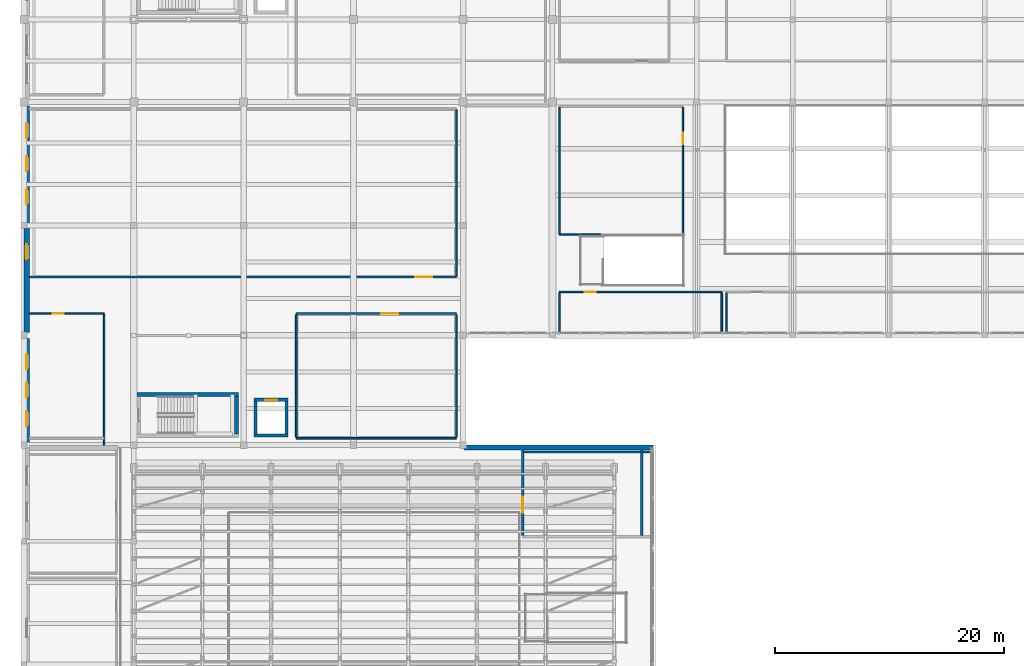
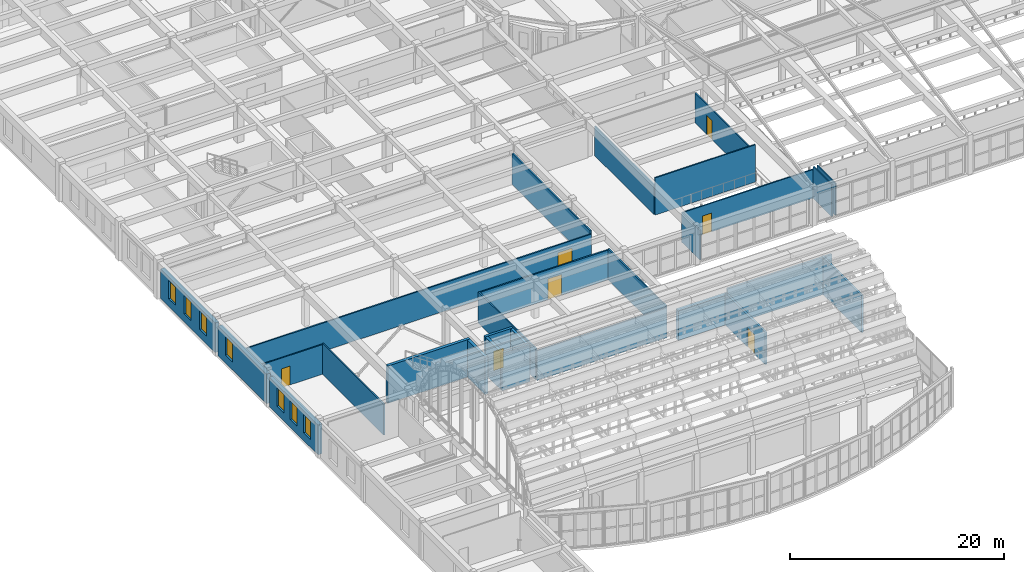
# One storey, part 65 of 91: 28 walls, 7 doors, 7 windows, 14 openings.
"""IFC4 building model written with IfcOpenShell, lengths in metres."""

from ifc_helpers import new_model, si_unit, direction, frame, frame_2d, origin, place, context, subcontext, project, spatial, rectangle, extrude, material, layer, layer_set, type_object, element, fill, save


model = new_model("IFC4")

# Units and contexts
model_context = context("Model", 3, precision=1e-05, world=origin(), true_north=direction((0.0, 1.0)))
body_context = subcontext(model_context, "Body", "Model", "MODEL_VIEW")
ifc_project = project(units=[si_unit("LENGTHUNIT", "METRE"), si_unit("AREAUNIT", "SQUARE_METRE"), si_unit("VOLUMEUNIT", "CUBIC_METRE"), si_unit("PLANEANGLEUNIT", "RADIAN"), si_unit("MASSUNIT", "GRAM", prefix="KILO")], contexts=[model_context])

# Site, building, storey
site_placement = place(None, origin())
site = spatial("IfcSite", under=ifc_project, at=site_placement, CompositionType="ELEMENT")
building_placement = place(site_placement, origin())
building = spatial("IfcBuilding", under=site, at=building_placement, Name="Tarnavel Promenade Courthouse", CompositionType="ELEMENT")
storey_placement = place(building_placement, frame((0.0, 0.0, 9.89990234375)))
storey = spatial("IfcBuildingStorey", under=building, at=storey_placement, Name="L03", CompositionType="ELEMENT", Elevation=9.89990234375)

# Wall, opening, door
ifc_material_1 = material(Name="Acoustic Insulated Gypsum Stud Partition", Category="gypsum")
ifc_layer_1 = layer(ifc_material_1, 0.14990234375)
ifc_layer_set_1 = layer_set([ifc_layer_1], Name="Acoustic Insulated Gypsum Stud Partition")
wall_type_1 = type_object("IfcWallType", Name="Acoustic Insulated Gypsum Stud Partition WL-LIB-150 (150 mm)", PredefinedType="PARTITIONING", material=ifc_layer_set_1)
wall_1_placement = place(storey_placement, frame((37.800048828125, 51.89990234375, 0.0), z_axis=(0.0, 0.0, 1.0), x_axis=(-1.0, 0.0, 0.0)))
wall_1 = element("IfcWall", 1, at=wall_1_placement, inside=storey, type_object=wall_type_1, Name="L03 Law Library Book Stacks Case Reports Partition 0453", PredefinedType="PARTITIONING", context=body_context, shape_type="SweptSolid", body=[
    extrude(rectangle(XDim=37.345947265625, YDim=0.14990234375, at=frame_2d((18.6728515625, 0.0))), origin(), (0.0, 0.0, 1.0), 3.22998046875),
])
opening_1_placement = place(wall_1_placement, frame((2.107421875, 0.0, 0.0)))
opening_1 = element("IfcOpeningElement", 2, at=opening_1_placement, cuts=wall_1, Name="Opening ID-05", PredefinedType="OPENING", context=body_context, shape_type="SweptSolid", body=[
    extrude(rectangle(XDim=1.5, YDim=2.35009765625, at=frame_2d((0.75, 1.175048828125))), frame((0.0, 0.0849609375, 0.0), z_axis=(0.0, -1.0, 0.0), x_axis=(1.0, 0.0, 0.0)), (0.0, 0.0, 1.0), 0.169921875),
])
ifc_material_2 = material(Name="Glazed Oak Law Library Double Door")
door_type_1 = type_object("IfcDoorType", Name="Glazed Oak Law Library Double Door (DR-LIB-1500x2350)", OperationType="NOTDEFINED", PredefinedType="DOOR", material=ifc_material_2)
door_1_placement = place(opening_1_placement, origin())
door_1 = element("IfcDoor", 3, at=door_1_placement, inside=storey, type_object=door_type_1, Name="L03 Law Library Book Stacks Case Reports Door 0129", OperationType="DOUBLE_DOOR_SINGLE_SWING", OverallHeight=2.35009765625, OverallWidth=1.5, PredefinedType="DOOR", context=body_context, shape_type="SweptSolid", body=[
    extrude(rectangle(XDim=1.5, YDim=2.35009765625, at=frame_2d((0.75, 1.175048828125))), frame((0.0, 0.02490234375, 0.0), z_axis=(0.0, -1.0, 0.0), x_axis=(1.0, 0.0, 0.0)), (0.0, 0.0, 1.0), 0.050048828125),
])
fill(opening_1, door_1)

# Wall
wall_2_placement = place(storey_placement, frame((37.800048828125, 66.514892578125, 0.0), z_axis=(0.0, 0.0, 1.0), x_axis=(0.0, -1.0, 0.0)))
element("IfcWall", 4, at=wall_2_placement, inside=storey, type_object=wall_type_1, Name="L03 Law Library Book Stacks Case Reports Partition 0454", PredefinedType="PARTITIONING", context=body_context, shape_type="SweptSolid", body=[
    extrude(rectangle(XDim=14.52978515625, YDim=0.14990234375, at=frame_2d((7.264892578125, 0.0))), origin(), (0.0, 0.0, 1.0), 3.530029296875),
])

# Wall, opening, door
wall_3_placement = place(storey_placement, frame((23.800048828125, 48.699951171875, 0.0), z_axis=(0.0, 0.0, 1.0), x_axis=(1.0, 0.0, 0.0)))
wall_3 = element("IfcWall", 5, at=wall_3_placement, inside=storey, type_object=wall_type_1, Name="L03 Law Library Reading Room North Carrels Partition 0458", PredefinedType="PARTITIONING", context=body_context, shape_type="SweptSolid", body=[
    extrude(rectangle(XDim=14.0, YDim=0.14990234375, at=frame_2d((7.0, 0.0))), origin(), (0.0, 0.0, 1.0), 3.380126953125),
])
opening_2_placement = place(wall_3_placement, frame((7.429931640625, 0.0, 0.0)))
opening_2 = element("IfcOpeningElement", 6, at=opening_2_placement, cuts=wall_3, Name="Opening ID-05", PredefinedType="OPENING", context=body_context, shape_type="SweptSolid", body=[
    extrude(rectangle(XDim=1.5, YDim=2.35009765625, at=frame_2d((0.75, 1.175048828125))), frame((0.0, 0.0849609375, 0.0), z_axis=(0.0, -1.0, 0.0), x_axis=(1.0, 0.0, 0.0)), (0.0, 0.0, 1.0), 0.169921875),
])
door_2_placement = place(opening_2_placement, origin())
door_2 = element("IfcDoor", 7, at=door_2_placement, inside=storey, type_object=door_type_1, Name="L03 Law Library Reading Room North Carrels Door 0131", OperationType="DOUBLE_DOOR_SINGLE_SWING", OverallHeight=2.35009765625, OverallWidth=1.5, PredefinedType="DOOR", context=body_context, shape_type="SweptSolid", body=[
    extrude(rectangle(XDim=1.5, YDim=2.35009765625, at=frame_2d((0.75, 1.175048828125))), frame((0.0, 0.02490234375, 0.0), z_axis=(0.0, -1.0, 0.0), x_axis=(1.0, 0.0, 0.0)), (0.0, 0.0, 1.0), 0.050048828125),
])
fill(opening_2, door_2)

# Walls
wall_4_placement = place(storey_placement, frame((37.800048828125, 37.800048828125, 0.0), z_axis=(0.0, 0.0, 1.0), x_axis=(-1.0, 0.0, 0.0)))
element("IfcWall", 8, at=wall_4_placement, inside=storey, type_object=wall_type_1, Name="L03 Law Library Reading Room North Carrels Partition 0459", PredefinedType="PARTITIONING", context=body_context, shape_type="SweptSolid", body=[
    extrude(rectangle(XDim=14.0, YDim=0.14990234375, at=frame_2d((7.0, 0.0))), origin(), (0.0, 0.0, 1.0), 3.380126953125),
])
for number, where, z_axis, x_axis, name in (
    (9, (23.800048828125, 37.885009765625, 0.0), (0.0, 0.0, 1.0), (0.0, 1.0, 0.0), "L03 Law Library Reading Room North Carrels Partition 0460"),
    (10, (37.800048828125, 48.614990234375, 0.0), (0.0, 0.0, 1.0), (0.0, -1.0, 0.0), "L03 Law Library Reading Room North Carrels Partition 0461"),
):
    element("IfcWall", number, at=place(storey_placement, frame(where, z_axis=z_axis, x_axis=x_axis)), inside=storey, type_object=wall_type_1, Name=name, PredefinedType="PARTITIONING", context=body_context, shape_type="SweptSolid", body=[
        extrude(rectangle(XDim=10.72998046875, YDim=0.14990234375, at=frame_2d((5.364990234375, 0.0))), origin(), (0.0, 0.0, 1.0), 3.530029296875),
    ])

# Wall, opening, door
ifc_material_3 = material(Name="Concrete C40/50", Category="concrete")
ifc_layer_2 = layer(ifc_material_3, 0.280029296875)
ifc_layer_set_2 = layer_set([ifc_layer_2], Name="Concrete C40/50")
wall_type_2 = type_object("IfcWallType", Name="Concrete C40/50 WL-SHR-280 (280 mm)", PredefinedType="SHEAR", material=ifc_layer_set_2)
wall_5_placement = place(storey_placement, frame((20.10009765625, 41.159912109375, 0.0), z_axis=(0.0, 0.0, 1.0), x_axis=(1.0, 0.0, 0.0)))
wall_5 = element("IfcWall", 11, at=wall_5_placement, inside=storey, type_object=wall_type_2, Name="L03 L-LIB1 Lift Shaft North Wall", PredefinedType="SHEAR", context=body_context, shape_type="SweptSolid", body=[
    extrude(rectangle(XDim=3.0, YDim=0.280029296875, at=frame_2d((1.5, 0.0))), origin(), (0.0, 0.0, 1.0), 4.25),
])
opening_3_placement = place(wall_5_placement, frame((0.97509765625, 0.0, 0.0)))
opening_3 = element("IfcOpeningElement", 12, at=opening_3_placement, cuts=wall_5, Name="Opening LD-02", PredefinedType="OPENING", context=body_context, shape_type="SweptSolid", body=[
    extrude(rectangle(XDim=1.050048828125, YDim=2.199951171875, at=frame_2d((0.52490234375, 1.10009765625))), frame((0.0, 0.14990234375, 0.0), z_axis=(0.0, -1.0, 0.0), x_axis=(1.0, 0.0, 0.0)), (0.0, 0.0, 1.0), 0.300048828125),
])
ifc_material_4 = material(Name="Brushed Bronze Passenger Lift Landing Sliding Door")
door_type_2 = type_object("IfcDoorType", Name="Brushed Bronze Passenger Lift Landing Sliding Door (LD-PUB-1050x2200)", OperationType="NOTDEFINED", PredefinedType="DOOR", material=ifc_material_4)
door_3_placement = place(opening_3_placement, origin())
door_3 = element("IfcDoor", 13, at=door_3_placement, inside=storey, type_object=door_type_2, Name="L03 L-LIB1 Lift Sliding Landing Door", OperationType="DOUBLE_DOOR_SLIDING", OverallHeight=2.199951171875, OverallWidth=1.050048828125, PredefinedType="DOOR", context=body_context, shape_type="SweptSolid", body=[
    extrude(rectangle(XDim=1.050048828125, YDim=2.199951171875, at=frame_2d((0.52490234375, 1.10009765625))), frame((0.0, 0.02490234375, 0.0), z_axis=(0.0, -1.0, 0.0), x_axis=(1.0, 0.0, 0.0)), (0.0, 0.0, 1.0), 0.050048828125),
])
fill(opening_3, door_3)

# Walls
wall_6_placement = place(storey_placement, frame((23.10009765625, 38.0400390625, 0.0), z_axis=(0.0, 0.0, 1.0), x_axis=(-1.0, 0.0, 0.0)))
element("IfcWall", 14, at=wall_6_placement, inside=storey, type_object=wall_type_2, Name="L03 L-LIB1 Lift Shaft South Wall", PredefinedType="SHEAR", context=body_context, shape_type="SweptSolid", body=[
    extrude(rectangle(XDim=3.0, YDim=0.280029296875, at=frame_2d((1.5, 0.0))), origin(), (0.0, 0.0, 1.0), 4.25),
])
for number, where, z_axis, x_axis, name in (
    (15, (20.239990234375, 38.179931640625, 0.0), (0.0, 0.0, 1.0), (0.0, 1.0, 0.0), "L03 L-LIB1 Lift Shaft West Wall"),
    (16, (22.9599609375, 41.02001953125, 0.0), (0.0, 0.0, 1.0), (0.0, -1.0, 0.0), "L03 L-LIB1 Lift Shaft East Wall"),
):
    element("IfcWall", number, at=place(storey_placement, frame(where, z_axis=z_axis, x_axis=x_axis)), inside=storey, type_object=wall_type_2, Name=name, PredefinedType="SHEAR", context=body_context, shape_type="SweptSolid", body=[
        extrude(rectangle(XDim=2.840087890625, YDim=0.280029296875, at=frame_2d((1.419921875, 0.0))), origin(), (0.0, 0.0, 1.0), 4.25),
    ])
ifc_layer_3 = layer(ifc_material_3, 0.320068359375)
ifc_layer_set_3 = layer_set([ifc_layer_3], Name="Concrete C40/50")
wall_type_3 = type_object("IfcWallType", Name="Concrete C40/50 WL-SHR-320 (320 mm)", PredefinedType="SHEAR", material=ifc_layer_set_3)
wall_7_placement = place(storey_placement, frame((9.860107421875, 41.6201171875, 0.0), z_axis=(0.0, 0.0, 1.0), x_axis=(1.0, 0.0, 0.0)))
element("IfcWall", 17, at=wall_7_placement, inside=storey, type_object=wall_type_3, Name="L03 ST-05 Shear Core North Wall", PredefinedType="SHEAR", context=body_context, shape_type="SweptSolid", body=[
    extrude(rectangle(XDim=8.8798828125, YDim=0.320068359375, at=frame_2d((4.43994140625, 0.0))), origin(), (0.0, 0.0, 1.0), 4.25),
])
wall_8_placement = place(storey_placement, frame((18.580078125, 41.4599609375, 0.0), z_axis=(0.0, 0.0, 1.0), x_axis=(0.0, -1.0, 0.0)))
element("IfcWall", 18, at=wall_8_placement, inside=storey, type_object=wall_type_3, Name="L03 ST-05 Shear Core East Wall", PredefinedType="SHEAR", context=body_context, shape_type="SweptSolid", body=[
    extrude(rectangle(XDim=3.280029296875, YDim=0.320068359375, at=frame_2d((1.64013671875, 0.0))), origin(), (0.0, 0.0, 1.0), 4.25),
])
ifc_material_5 = material(Name="Concrete Masonry Fire Compartment Wall", Category="masonry")
ifc_layer_4 = layer(ifc_material_5, 0.205078125)
ifc_layer_set_4 = layer_set([ifc_layer_4], Name="Concrete Masonry Fire Compartment Wall")
wall_type_4 = type_object("IfcWallType", Name="Concrete Masonry Fire Compartment Wall WL-CMP-205 (205 mm)", PredefinedType="STANDARD", material=ifc_layer_set_4)
wall_9_placement = place(storey_placement, frame((43.60009765625, 36.60009765625, 0.0), z_axis=(0.0, 0.0, 1.0), x_axis=(1.0, 0.0, 0.0)))
element("IfcWall", 19, at=wall_9_placement, inside=storey, type_object=wall_type_4, Name="L03 Upper Balcony Judicial Archives Reference Room Partition 0462", PredefinedType="STANDARD", context=body_context, shape_type="SweptSolid", body=[
    extrude(rectangle(XDim=11.289794921875, YDim=0.205078125, at=frame_2d((5.64501953125, 0.0))), origin(), (0.0, 0.0, 1.0), 4.235107421875),
])

# Wall, opening, door
wall_10_placement = place(storey_placement, frame((43.60009765625, 29.3125, 0.0), z_axis=(0.0, 0.0, 1.0), x_axis=(0.0, 1.0, 0.0)))
wall_10 = element("IfcWall", 20, at=wall_10_placement, inside=storey, type_object=wall_type_4, Name="L03 Upper Balcony Judicial Archives Reference Room Partition 0464", PredefinedType="STANDARD", context=body_context, shape_type="SweptSolid", body=[
    extrude(rectangle(XDim=7.45361328125, YDim=0.205078125, at=frame_2d((3.726806640625, 0.0))), origin(), (0.0, 0.0, 1.0), 3.68017578125),
])
opening_4_placement = place(wall_10_placement, frame((1.9560546875, 0.0, 0.0)))
opening_4 = element("IfcOpeningElement", 21, at=opening_4_placement, cuts=wall_10, Name="Opening FD-04", PredefinedType="OPENING", context=body_context, shape_type="SweptSolid", body=[
    extrude(rectangle(XDim=1.39990234375, YDim=2.25, at=frame_2d((0.699951171875, 1.125))), frame((0.0, 0.112548828125, 0.0), z_axis=(0.0, -1.0, 0.0), x_axis=(1.0, 0.0, 0.0)), (0.0, 0.0, 1.0), 0.22509765625),
])
ifc_material_6 = material(Name="Heavy Steel Plant Room Fire Door", Category="steel")
door_type_3 = type_object("IfcDoorType", Name="Heavy Steel Plant Room Fire Door (DR-PLT-1400x2250)", OperationType="NOTDEFINED", PredefinedType="DOOR", material=ifc_material_6)
door_4_placement = place(opening_4_placement, origin())
door_4 = element("IfcDoor", 22, at=door_4_placement, inside=storey, type_object=door_type_3, Name="L03 Upper Balcony Judicial Archives Reference Room Door 0132", OperationType="SINGLE_SWING_LEFT", OverallHeight=2.25, OverallWidth=1.39990234375, PredefinedType="DOOR", context=body_context, shape_type="SweptSolid", body=[
    extrude(rectangle(XDim=1.39990234375, YDim=2.25, at=frame_2d((0.699951171875, 1.125))), frame((0.0, 0.02490234375, 0.0), z_axis=(0.0, -1.0, 0.0), x_axis=(1.0, 0.0, 0.0)), (0.0, 0.0, 1.0), 0.050048828125),
])
fill(opening_4, door_4)

# Wall
wall_11_placement = place(storey_placement, frame((54.0, 36.76611328125, 0.0), z_axis=(0.0, 0.0, 1.0), x_axis=(0.0, -1.0, 0.0)))
element("IfcWall", 23, at=wall_11_placement, inside=storey, type_object=wall_type_4, Name="L03 Upper Balcony Judicial Archives Reference Room Partition 0465", PredefinedType="STANDARD", context=body_context, shape_type="SweptSolid", body=[
    extrude(rectangle(XDim=7.45361328125, YDim=0.205078125, at=frame_2d((3.726806640625, 0.0))), origin(), (0.0, 0.0, 1.0), 4.235107421875),
])

# Wall, openings, windows
ifc_material_7 = material(Name="Limestone Ashlar Faced Insulated Brick Masonry", Category="masonry")
ifc_layer_5 = layer(ifc_material_7, 0.43994140625)
ifc_layer_set_5 = layer_set([ifc_layer_5], Name="Limestone Ashlar Faced Insulated Brick Masonry")
wall_type_5 = type_object("IfcWallType", Name="Limestone Ashlar Faced Insulated Brick Masonry WL-EXT-440 (440 mm)", PredefinedType="STANDARD", material=ifc_layer_set_5)
wall_12_placement = place(storey_placement, frame((0.239990234375, 37.467041015625, 0.0), z_axis=(0.0, 0.0, 1.0), x_axis=(0.0, 1.0, 0.0)))
wall_12 = element("IfcWall", 24, at=wall_12_placement, inside=storey, type_object=wall_type_5, Name="L03 Law Library West Brick Facade 0343", PredefinedType="STANDARD", context=body_context, shape_type="SweptSolid", body=[
    extrude(rectangle(XDim=9.06591796875, YDim=0.43994140625, at=frame_2d((4.532958984375, 0.0))), origin(), (0.0, 0.0, 1.0), 3.380126953125),
])
opening_5_placement = place(wall_12_placement, frame((1.383056640625, 0.0, 0.89990234375)))
opening_5 = element("IfcOpeningElement", 25, at=opening_5_placement, cuts=wall_12, Name="Opening W-06", PredefinedType="OPENING", context=body_context, shape_type="SweptSolid", body=[
    extrude(rectangle(XDim=1.300048828125, YDim=2.10009765625, at=frame_2d((0.64990234375, 1.050048828125))), frame((0.0, 0.22998046875, 0.0), z_axis=(0.0, -1.0, 0.0), x_axis=(1.0, 0.0, 0.0)), (0.0, 0.0, 1.0), 0.4599609375),
])
opening_6_placement = place(wall_12_placement, frame((3.883056640625, 0.0, 0.89990234375)))
opening_6 = element("IfcOpeningElement", 26, at=opening_6_placement, cuts=wall_12, Name="Opening W-06", PredefinedType="OPENING", context=body_context, shape_type="SweptSolid", body=[
    extrude(rectangle(XDim=1.300048828125, YDim=2.10009765625, at=frame_2d((0.64990234375, 1.050048828125))), frame((0.0, 0.22998046875, 0.0), z_axis=(0.0, -1.0, 0.0), x_axis=(1.0, 0.0, 0.0)), (0.0, 0.0, 1.0), 0.4599609375),
])
opening_7_placement = place(wall_12_placement, frame((6.383056640625, 0.0, 0.89990234375)))
opening_7 = element("IfcOpeningElement", 27, at=opening_7_placement, cuts=wall_12, Name="Opening W-06", PredefinedType="OPENING", context=body_context, shape_type="SweptSolid", body=[
    extrude(rectangle(XDim=1.300048828125, YDim=2.10009765625, at=frame_2d((0.64990234375, 1.050048828125))), frame((0.0, 0.22998046875, 0.0), z_axis=(0.0, -1.0, 0.0), x_axis=(1.0, 0.0, 0.0)), (0.0, 0.0, 1.0), 0.4599609375),
])
ifc_material_8 = material(Name="Triple Low-E Glazed Bronze-Clad Window Assembly")
window_type = type_object("IfcWindowType", Name="Triple-Glazed Bronze-Clad Timber-Aluminium WIN-LIB-1300x2100", PartitioningType="SINGLE_PANEL", PredefinedType="WINDOW", material=ifc_material_8)
window_1_placement = place(opening_5_placement, origin())
window_1 = element("IfcWindow", 28, at=window_1_placement, inside=storey, type_object=window_type, Name="L03 Exterior Window 0400", OverallHeight=2.10009765625, OverallWidth=1.300048828125, PartitioningType="SINGLE_PANEL", PredefinedType="WINDOW", context=body_context, shape_type="SweptSolid", body=[
    extrude(rectangle(XDim=1.300048828125, YDim=2.10009765625, at=frame_2d((0.64990234375, 1.050048828125))), frame((0.0, 0.030029296875, 0.0), z_axis=(0.0, -1.0, 0.0), x_axis=(1.0, 0.0, 0.0)), (0.0, 0.0, 1.0), 0.06005859375),
])
fill(opening_5, window_1)
window_2_placement = place(opening_6_placement, origin())
window_2 = element("IfcWindow", 29, at=window_2_placement, inside=storey, type_object=window_type, Name="L03 Exterior Window 0401", OverallHeight=2.10009765625, OverallWidth=1.300048828125, PartitioningType="SINGLE_PANEL", PredefinedType="WINDOW", context=body_context, shape_type="SweptSolid", body=[
    extrude(rectangle(XDim=1.300048828125, YDim=2.10009765625, at=frame_2d((0.64990234375, 1.050048828125))), frame((0.0, 0.030029296875, 0.0), z_axis=(0.0, -1.0, 0.0), x_axis=(1.0, 0.0, 0.0)), (0.0, 0.0, 1.0), 0.06005859375),
])
fill(opening_6, window_2)
window_3_placement = place(opening_7_placement, origin())
window_3 = element("IfcWindow", 30, at=window_3_placement, inside=storey, type_object=window_type, Name="L03 Exterior Window 0402", OverallHeight=2.10009765625, OverallWidth=1.300048828125, PartitioningType="SINGLE_PANEL", PredefinedType="WINDOW", context=body_context, shape_type="SweptSolid", body=[
    extrude(rectangle(XDim=1.300048828125, YDim=2.10009765625, at=frame_2d((0.64990234375, 1.050048828125))), frame((0.0, 0.030029296875, 0.0), z_axis=(0.0, -1.0, 0.0), x_axis=(1.0, 0.0, 0.0)), (0.0, 0.0, 1.0), 0.06005859375),
])
fill(opening_7, window_3)

# Wall, opening, window
wall_13_placement = place(storey_placement, frame((0.239990234375, 47.06689453125, 0.0), z_axis=(0.0, 0.0, 1.0), x_axis=(0.0, 1.0, 0.0)))
wall_13 = element("IfcWall", 31, at=wall_13_placement, inside=storey, type_object=wall_type_5, Name="L03 Law Library West Brick Facade 0344", PredefinedType="STANDARD", context=body_context, shape_type="SweptSolid", body=[
    extrude(rectangle(XDim=9.066162109375, YDim=0.43994140625, at=frame_2d((4.533203125, 0.0))), origin(), (0.0, 0.0, 1.0), 3.380126953125),
])
opening_8_placement = place(wall_13_placement, frame((6.383056640625, 0.0, 0.89990234375)))
opening_8 = element("IfcOpeningElement", 32, at=opening_8_placement, cuts=wall_13, Name="Opening W-06", PredefinedType="OPENING", context=body_context, shape_type="SweptSolid", body=[
    extrude(rectangle(XDim=1.300048828125, YDim=2.10009765625, at=frame_2d((0.64990234375, 1.050048828125))), frame((0.0, 0.22998046875, 0.0), z_axis=(0.0, -1.0, 0.0), x_axis=(1.0, 0.0, 0.0)), (0.0, 0.0, 1.0), 0.4599609375),
])
window_4_placement = place(opening_8_placement, origin())
window_4 = element("IfcWindow", 33, at=window_4_placement, inside=storey, type_object=window_type, Name="L03 Exterior Window 0403", OverallHeight=2.10009765625, OverallWidth=1.300048828125, PartitioningType="SINGLE_PANEL", PredefinedType="WINDOW", context=body_context, shape_type="SweptSolid", body=[
    extrude(rectangle(XDim=1.300048828125, YDim=2.10009765625, at=frame_2d((0.64990234375, 1.050048828125))), frame((0.0, 0.030029296875, 0.0), z_axis=(0.0, -1.0, 0.0), x_axis=(1.0, 0.0, 0.0)), (0.0, 0.0, 1.0), 0.06005859375),
])
fill(opening_8, window_4)

# Wall, openings, windows
wall_14_placement = place(storey_placement, frame((0.239990234375, 56.6669921875, 0.0), z_axis=(0.0, 0.0, 1.0), x_axis=(0.0, 1.0, 0.0)))
wall_14 = element("IfcWall", 34, at=wall_14_placement, inside=storey, type_object=wall_type_5, Name="L03 Law Library West Brick Facade 0345", PredefinedType="STANDARD", context=body_context, shape_type="SweptSolid", body=[
    extrude(rectangle(XDim=10.19091796875, YDim=0.43994140625, at=frame_2d((5.095458984375, 0.0))), origin(), (0.0, 0.0, 1.0), 3.380126953125),
])
opening_9_placement = place(wall_14_placement, frame((1.5830078125, 0.0, 0.89990234375)))
opening_9 = element("IfcOpeningElement", 35, at=opening_9_placement, cuts=wall_14, Name="Opening W-06", PredefinedType="OPENING", context=body_context, shape_type="SweptSolid", body=[
    extrude(rectangle(XDim=1.300048828125, YDim=2.10009765625, at=frame_2d((0.64990234375, 1.050048828125))), frame((0.0, 0.22998046875, 0.0), z_axis=(0.0, -1.0, 0.0), x_axis=(1.0, 0.0, 0.0)), (0.0, 0.0, 1.0), 0.4599609375),
])
opening_10_placement = place(wall_14_placement, frame((4.48291015625, 0.0, 0.89990234375)))
opening_10 = element("IfcOpeningElement", 36, at=opening_10_placement, cuts=wall_14, Name="Opening W-06", PredefinedType="OPENING", context=body_context, shape_type="SweptSolid", body=[
    extrude(rectangle(XDim=1.300048828125, YDim=2.10009765625, at=frame_2d((0.64990234375, 1.050048828125))), frame((0.0, 0.22998046875, 0.0), z_axis=(0.0, -1.0, 0.0), x_axis=(1.0, 0.0, 0.0)), (0.0, 0.0, 1.0), 0.4599609375),
])
opening_11_placement = place(wall_14_placement, frame((7.383056640625, 0.0, 0.89990234375)))
opening_11 = element("IfcOpeningElement", 37, at=opening_11_placement, cuts=wall_14, Name="Opening W-06", PredefinedType="OPENING", context=body_context, shape_type="SweptSolid", body=[
    extrude(rectangle(XDim=1.300048828125, YDim=2.10009765625, at=frame_2d((0.64990234375, 1.050048828125))), frame((0.0, 0.22998046875, 0.0), z_axis=(0.0, -1.0, 0.0), x_axis=(1.0, 0.0, 0.0)), (0.0, 0.0, 1.0), 0.4599609375),
])
window_5_placement = place(opening_9_placement, origin())
window_5 = element("IfcWindow", 38, at=window_5_placement, inside=storey, type_object=window_type, Name="L03 Exterior Window 0404", OverallHeight=2.10009765625, OverallWidth=1.300048828125, PartitioningType="SINGLE_PANEL", PredefinedType="WINDOW", context=body_context, shape_type="SweptSolid", body=[
    extrude(rectangle(XDim=1.300048828125, YDim=2.10009765625, at=frame_2d((0.64990234375, 1.050048828125))), frame((0.0, 0.030029296875, 0.0), z_axis=(0.0, -1.0, 0.0), x_axis=(1.0, 0.0, 0.0)), (0.0, 0.0, 1.0), 0.06005859375),
])
fill(opening_9, window_5)
window_6_placement = place(opening_10_placement, origin())
window_6 = element("IfcWindow", 39, at=window_6_placement, inside=storey, type_object=window_type, Name="L03 Exterior Window 0405", OverallHeight=2.10009765625, OverallWidth=1.300048828125, PartitioningType="SINGLE_PANEL", PredefinedType="WINDOW", context=body_context, shape_type="SweptSolid", body=[
    extrude(rectangle(XDim=1.300048828125, YDim=2.10009765625, at=frame_2d((0.64990234375, 1.050048828125))), frame((0.0, 0.030029296875, 0.0), z_axis=(0.0, -1.0, 0.0), x_axis=(1.0, 0.0, 0.0)), (0.0, 0.0, 1.0), 0.06005859375),
])
fill(opening_10, window_6)
window_7_placement = place(opening_11_placement, origin())
window_7 = element("IfcWindow", 40, at=window_7_placement, inside=storey, type_object=window_type, Name="L03 Exterior Window 0406", OverallHeight=2.10009765625, OverallWidth=1.300048828125, PartitioningType="SINGLE_PANEL", PredefinedType="WINDOW", context=body_context, shape_type="SweptSolid", body=[
    extrude(rectangle(XDim=1.300048828125, YDim=2.10009765625, at=frame_2d((0.64990234375, 1.050048828125))), frame((0.0, 0.030029296875, 0.0), z_axis=(0.0, -1.0, 0.0), x_axis=(1.0, 0.0, 0.0)), (0.0, 0.0, 1.0), 0.06005859375),
])
fill(opening_11, window_7)

# Wall
wall_15_placement = place(storey_placement, frame((38.449951171875, 36.97998046875, 0.0), z_axis=(0.0, 0.0, 1.0), x_axis=(1.0, 0.0, 0.0)))
element("IfcWall", 41, at=wall_15_placement, inside=storey, type_object=wall_type_5, Name="L03 Public Drum North-East Courtyard Wall 0440", PredefinedType="STANDARD", context=body_context, shape_type="SweptSolid", body=[
    extrude(rectangle(XDim=16.550048828125, YDim=0.43994140625, at=frame_2d((8.27490234375, 0.0))), origin(), (0.0, 0.0, 1.0), 3.380126953125),
])

# Wall, opening, door
ifc_material_9 = material(Name="Metal-Stud Acoustic Gypsum Partition", Category="gypsum")
ifc_layer_6 = layer(ifc_material_9, 0.135009765625)
ifc_layer_set_6 = layer_set([ifc_layer_6], Name="Metal-Stud Acoustic Gypsum Partition")
wall_type_6 = type_object("IfcWallType", Name="Metal-Stud Acoustic Gypsum Partition WL-OFF-135 (135 mm)", PredefinedType="PARTITIONING", material=ifc_layer_set_6)
wall_16_placement = place(storey_placement, frame((0.4541015625, 48.699951171875, 0.0), z_axis=(0.0, 0.0, 1.0), x_axis=(1.0, 0.0, 0.0)))
wall_16 = element("IfcWall", 42, at=wall_16_placement, inside=storey, type_object=wall_type_6, Name="L03 L03 Legal Scholars' Study Carrels Partition 0455", PredefinedType="PARTITIONING", context=body_context, shape_type="SweptSolid", body=[
    extrude(rectangle(XDim=6.5458984375, YDim=0.135009765625, at=frame_2d((3.27294921875, 0.0))), origin(), (0.0, 0.0, 1.0), 3.380126953125),
])
opening_12_placement = place(wall_16_placement, frame((2.063720703125, 0.0, 0.0)))
opening_12 = element("IfcOpeningElement", 43, at=opening_12_placement, cuts=wall_16, Name="Opening ID-06", PredefinedType="OPENING", context=body_context, shape_type="SweptSolid", body=[
    extrude(rectangle(XDim=0.949951171875, YDim=2.14990234375, at=frame_2d((0.47509765625, 1.074951171875))), frame((0.0, 0.077392578125, 0.0), z_axis=(0.0, -1.0, 0.0), x_axis=(1.0, 0.0, 0.0)), (0.0, 0.0, 1.0), 0.155029296875),
])
ifc_material_10 = material(Name="Acoustic Timber Veneer Office Door", Category="wood")
door_type_4 = type_object("IfcDoorType", Name="Acoustic Timber Veneer Office Door (DR-OFF-0950x2150)", OperationType="NOTDEFINED", PredefinedType="DOOR", material=ifc_material_10)
door_5_placement = place(opening_12_placement, origin())
door_5 = element("IfcDoor", 44, at=door_5_placement, inside=storey, type_object=door_type_4, Name="L03 L03 Legal Scholars' Study Carrels Door 0130", OperationType="SINGLE_SWING_RIGHT", OverallHeight=2.14990234375, OverallWidth=0.949951171875, PredefinedType="DOOR", context=body_context, shape_type="SweptSolid", body=[
    extrude(rectangle(XDim=0.949951171875, YDim=2.14990234375, at=frame_2d((0.47509765625, 1.074951171875))), frame((0.0, 0.02490234375, 0.0), z_axis=(0.0, -1.0, 0.0), x_axis=(1.0, 0.0, 0.0)), (0.0, 0.0, 1.0), 0.050048828125),
])
fill(opening_12, door_5)

# Wall
wall_17_placement = place(storey_placement, frame((7.0, 48.62255859375, 0.0), z_axis=(0.0, 0.0, 1.0), x_axis=(0.0, -1.0, 0.0)))
element("IfcWall", 45, at=wall_17_placement, inside=storey, type_object=wall_type_6, Name="L03 L03 Legal Scholars' Study Carrels Partition 0457", PredefinedType="PARTITIONING", context=body_context, shape_type="SweptSolid", body=[
    extrude(rectangle(XDim=11.448486328125, YDim=0.135009765625, at=frame_2d((5.72412109375, 0.0))), origin(), (0.0, 0.0, 1.0), 3.530029296875),
])

# Wall, opening, door
wall_18_placement = place(storey_placement, frame((46.800048828125, 50.60009765625, 0.0), z_axis=(0.0, 0.0, 1.0), x_axis=(1.0, 0.0, 0.0)))
wall_18 = element("IfcWall", 46, at=wall_18_placement, inside=storey, type_object=wall_type_6, Name="L03 Upper Balcony Civil Registry Suite Partition 0478", PredefinedType="PARTITIONING", context=body_context, shape_type="SweptSolid", body=[
    extrude(rectangle(XDim=14.199951171875, YDim=0.135009765625, at=frame_2d((7.10009765625, 0.0))), origin(), (0.0, 0.0, 1.0), 3.280029296875),
])
opening_13_placement = place(wall_18_placement, frame((2.232421875, 0.0, 0.0)))
opening_13 = element("IfcOpeningElement", 47, at=opening_13_placement, cuts=wall_18, Name="Opening ID-06", PredefinedType="OPENING", context=body_context, shape_type="SweptSolid", body=[
    extrude(rectangle(XDim=0.949951171875, YDim=2.14990234375, at=frame_2d((0.47509765625, 1.074951171875))), frame((0.0, 0.077392578125, 0.0), z_axis=(0.0, -1.0, 0.0), x_axis=(1.0, 0.0, 0.0)), (0.0, 0.0, 1.0), 0.155029296875),
])
door_6_placement = place(opening_13_placement, origin())
door_6 = element("IfcDoor", 48, at=door_6_placement, inside=storey, type_object=door_type_4, Name="L03 Upper Balcony Civil Registry Suite Door 0137", OperationType="SINGLE_SWING_LEFT", OverallHeight=2.14990234375, OverallWidth=0.949951171875, PredefinedType="DOOR", context=body_context, shape_type="SweptSolid", body=[
    extrude(rectangle(XDim=0.949951171875, YDim=2.14990234375, at=frame_2d((0.47509765625, 1.074951171875))), frame((0.0, 0.02490234375, 0.0), z_axis=(0.0, -1.0, 0.0), x_axis=(1.0, 0.0, 0.0)), (0.0, 0.0, 1.0), 0.050048828125),
])
fill(opening_13, door_6)

# Walls
wall_19_placement = place(storey_placement, frame((46.800048828125, 47.090087890625, 0.0), z_axis=(0.0, 0.0, 1.0), x_axis=(0.0, 1.0, 0.0)))
element("IfcWall", 49, at=wall_19_placement, inside=storey, type_object=wall_type_6, Name="L03 Upper Balcony Civil Registry Suite Partition 0479", PredefinedType="PARTITIONING", context=body_context, shape_type="SweptSolid", body=[
    extrude(rectangle(XDim=3.432373046875, YDim=0.135009765625, at=frame_2d((1.71630859375, 0.0))), origin(), (0.0, 0.0, 1.0), 3.380126953125),
])
for number, where, z_axis, x_axis, name in (
    (50, (61.0, 50.5224609375, 0.0), (0.0, 0.0, 1.0), (0.0, -1.0, 0.0), "L03 Upper Balcony Civil Registry Suite Partition 0480"),
    (51, (61.39990234375, 47.090087890625, 0.0), (0.0, 0.0, 1.0), (0.0, 1.0, 0.0), "L03 Upper Balcony Community Seminar and Exhibition Room Partition 0482"),
):
    element("IfcWall", number, at=place(storey_placement, frame(where, z_axis=z_axis, x_axis=x_axis)), inside=storey, type_object=wall_type_6, Name=name, PredefinedType="PARTITIONING", context=body_context, shape_type="SweptSolid", body=[
        extrude(rectangle(XDim=3.432373046875, YDim=0.135009765625, at=frame_2d((1.71630859375, 0.0))), origin(), (0.0, 0.0, 1.0), 3.630126953125),
    ])
wall_20_placement = place(storey_placement, frame((57.60009765625, 55.60009765625, 0.0), z_axis=(0.0, 0.0, 1.0), x_axis=(-1.0, 0.0, 0.0)))
element("IfcWall", 52, at=wall_20_placement, inside=storey, type_object=wall_type_6, Name="L03 Upper Balcony Judicial Mediation and Case Conference Salon Partition 0493", PredefinedType="PARTITIONING", context=body_context, shape_type="SweptSolid", body=[
    extrude(rectangle(XDim=10.800048828125, YDim=0.135009765625, at=frame_2d((5.39990234375, 0.0))), origin(), (0.0, 0.0, 1.0), 4.235107421875),
])
wall_21_placement = place(storey_placement, frame((46.800048828125, 55.677490234375, 0.0), z_axis=(0.0, 0.0, 1.0), x_axis=(0.0, 1.0, 0.0)))
element("IfcWall", 53, at=wall_21_placement, inside=storey, type_object=wall_type_6, Name="L03 Upper Balcony Judicial Mediation and Case Conference Salon Partition 0494", PredefinedType="PARTITIONING", context=body_context, shape_type="SweptSolid", body=[
    extrude(rectangle(XDim=11.044921875, YDim=0.135009765625, at=frame_2d((5.5224609375, 0.0))), origin(), (0.0, 0.0, 1.0), 3.380126953125),
])

# Wall, opening, door
wall_22_placement = place(storey_placement, frame((57.60009765625, 66.722412109375, 0.0), z_axis=(0.0, 0.0, 1.0), x_axis=(0.0, -1.0, 0.0)))
wall_22 = element("IfcWall", 54, at=wall_22_placement, inside=storey, type_object=wall_type_6, Name="L03 Upper Balcony Judicial Mediation and Case Conference Salon Partition 0495", PredefinedType="PARTITIONING", context=body_context, shape_type="SweptSolid", body=[
    extrude(rectangle(XDim=11.044921875, YDim=0.135009765625, at=frame_2d((5.5224609375, 0.0))), origin(), (0.0, 0.0, 1.0), 3.380126953125),
])
opening_14_placement = place(wall_22_placement, frame((2.215087890625, 0.0, 0.0)))
opening_14 = element("IfcOpeningElement", 55, at=opening_14_placement, cuts=wall_22, Name="Opening ID-07", PredefinedType="OPENING", context=body_context, shape_type="SweptSolid", body=[
    extrude(rectangle(XDim=1.02001953125, YDim=2.14990234375, at=frame_2d((0.510009765625, 1.074951171875))), frame((0.0, 0.077392578125, 0.0), z_axis=(0.0, -1.0, 0.0), x_axis=(1.0, 0.0, 0.0)), (0.0, 0.0, 1.0), 0.155029296875),
])
ifc_material_11 = material(Name="Acoustic Timber Seminar Room Door", Category="wood")
door_type_5 = type_object("IfcDoorType", Name="Acoustic Timber Seminar Room Door (DR-MTG-1020x2150)", OperationType="NOTDEFINED", PredefinedType="DOOR", material=ifc_material_11)
door_7_placement = place(opening_14_placement, origin())
door_7 = element("IfcDoor", 56, at=door_7_placement, inside=storey, type_object=door_type_5, Name="L03 Upper Balcony Judicial Mediation and Case Conference Salon Door 0141", OperationType="SINGLE_SWING_LEFT", OverallHeight=2.14990234375, OverallWidth=1.02001953125, PredefinedType="DOOR", context=body_context, shape_type="SweptSolid", body=[
    extrude(rectangle(XDim=1.02001953125, YDim=2.14990234375, at=frame_2d((0.510009765625, 1.074951171875))), frame((0.0, 0.02490234375, 0.0), z_axis=(0.0, -1.0, 0.0), x_axis=(1.0, 0.0, 0.0)), (0.0, 0.0, 1.0), 0.050048828125),
])
fill(opening_14, door_7)

save(model, "model.ifc")
